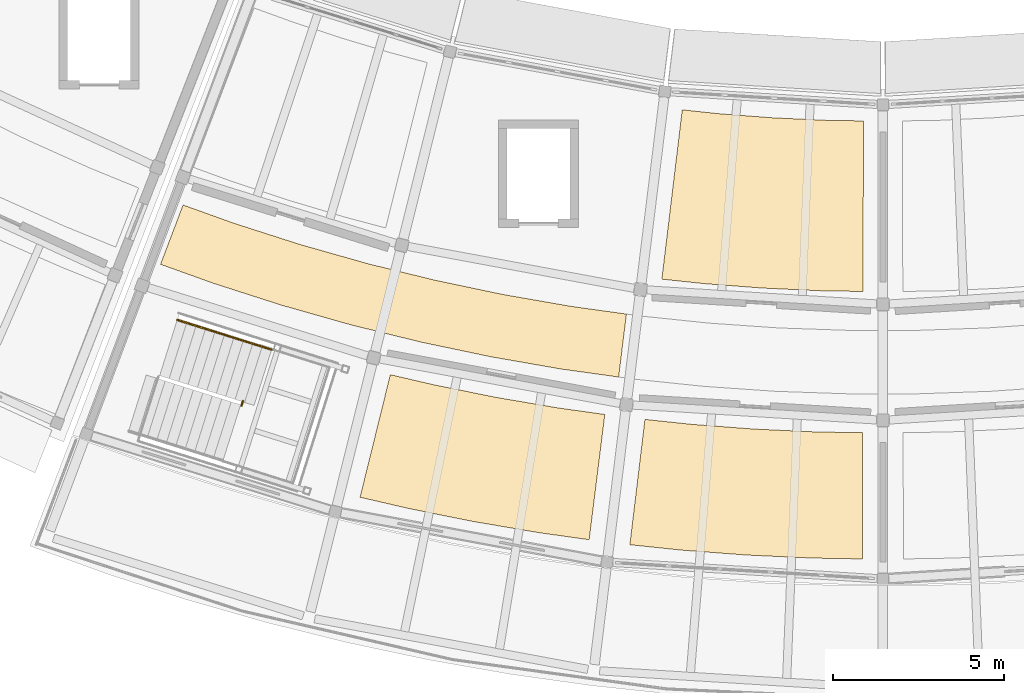
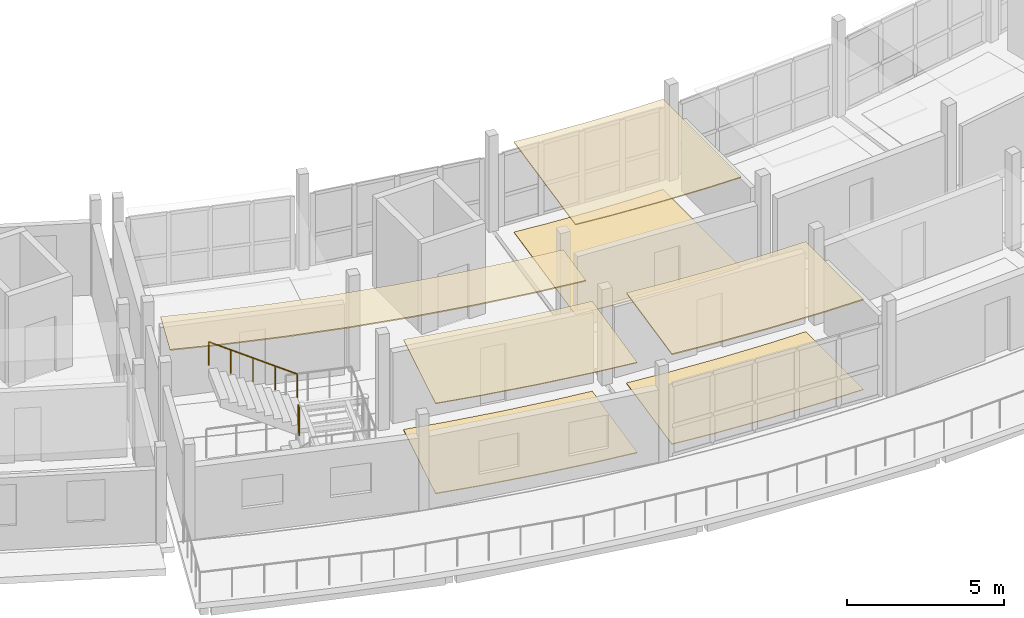
# One storey, part 21 of 24: 7 coverings, 2 railings.
"""IFC4 building model written with IfcOpenShell, lengths in metres."""

from ifc_helpers import new_model, si_unit, direction, frame, origin, origin_2d, place, context, subcontext, project, spatial, polyline, circle, outline, extrude, material, layer, layer_set, type_object, element, save


model = new_model("IFC4")

# Units and contexts
model_context = context("Model", 3, precision=1e-05, world=origin(), true_north=direction((0.0, 1.0)))
body_context = subcontext(model_context, "Body", "Model", "MODEL_VIEW")
ifc_project = project(units=[si_unit("LENGTHUNIT", "METRE"), si_unit("AREAUNIT", "SQUARE_METRE"), si_unit("VOLUMEUNIT", "CUBIC_METRE"), si_unit("PLANEANGLEUNIT", "RADIAN"), si_unit("MASSUNIT", "GRAM", prefix="KILO")], contexts=[model_context])

# Site, building, storey
site_placement = place(None, origin())
site = spatial("IfcSite", under=ifc_project, at=site_placement, CompositionType="ELEMENT")
building_placement = place(site_placement, origin())
building = spatial("IfcBuilding", under=site, at=building_placement, Name="Caldaven Crescent School", CompositionType="ELEMENT")
storey_placement = place(building_placement, frame((0.0, 0.0, 15.639892578125)))
storey = spatial("IfcBuildingStorey", under=building, at=storey_placement, Name="L04", CompositionType="ELEMENT", Elevation=15.639892578125)

# Coverings
ifc_material_1 = material(Name="Perforated Pino Radiata acoustic timber baffle ceiling", Category="wood")
ifc_layer_1 = layer(ifc_material_1, 0.030029296875)
ifc_layer_set_1 = layer_set([ifc_layer_1], Name="Perforated Pino Radiata acoustic timber baffle ceiling")
covering_type_1 = type_object("IfcCoveringType", Name="COV-CLG1", PredefinedType="CEILING", material=ifc_layer_set_1)
covering_1_placement = place(storey_placement, frame((0.0, 0.0, 3.510009765625)))
element("IfcCovering", 1, at=covering_1_placement, inside=storey, type_object=covering_type_1, Name="CLG-L04-188", PredefinedType="CEILING", context=body_context, shape_type="SweptSolid", body=[
    extrude(outline(polyline([(74.893310546875, 35.32958984375), (74.90625, 35.326904296875), (76.68212890625, 34.970703125), (76.695068359375, 34.96826171875), (78.480712890625, 34.664306640625), (78.493896484375, 34.662353515625), (79.848388671875, 34.47265625), (79.38916015625, 30.80126953125), (77.92041015625, 31.007080078125), (76.014404296875, 31.331298828125), (74.118896484375, 31.711669921875), (72.673583984375, 32.0458984375), (73.560546875, 35.637939453125), (74.893310546875, 35.32958984375)])), origin(), (0.0, 0.0, 1.0), 0.030029296875),
])
ifc_layer_2 = layer(ifc_material_1, 0.0380859375)
ifc_layer_set_2 = layer_set([ifc_layer_2], Name="Perforated Pino Radiata acoustic timber baffle ceiling")
covering_type_2 = type_object("IfcCoveringType", Name="COV-CLG2", PredefinedType="CEILING", material=ifc_layer_set_2)
covering_2_placement = place(storey_placement, frame((0.0, 0.0, 3.502197265625)))
element("IfcCovering", 2, at=covering_2_placement, inside=storey, type_object=covering_type_2, Name="CLG-L04-189", PredefinedType="CEILING", context=body_context, shape_type="SweptSolid", body=[
    extrude(outline(polyline([(83.210693359375, 43.287109375), (83.223876953125, 43.285888671875), (84.76220703125, 43.169189453125), (84.775390625, 43.16845703125), (86.316162109375, 43.096923828125), (86.329345703125, 43.096435546875), (87.4287109375, 43.07763671875), (87.4169921875, 38.077880859375), (86.16455078125, 38.09912109375), (84.46337890625, 38.177978515625), (82.765625, 38.306884765625), (81.519775390625, 38.438720703125), (82.11767578125, 43.402587890625), (83.210693359375, 43.287109375)])), origin(), (0.0, 0.0, 1.0), 0.037841796875),
])
ifc_layer_3 = layer(ifc_material_1, 0.0458984375)
ifc_layer_set_3 = layer_set([ifc_layer_3], Name="Perforated Pino Radiata acoustic timber baffle ceiling")
covering_type_3 = type_object("IfcCoveringType", Name="COV-CLG3", PredefinedType="CEILING", material=ifc_layer_set_3)
covering_3_placement = place(storey_placement, frame((0.0, 0.0, 3.494140625)))
element("IfcCovering", 3, at=covering_3_placement, inside=storey, type_object=covering_type_3, Name="CLG-L04-186", PredefinedType="CEILING", context=body_context, shape_type="SweptSolid", body=[
    extrude(outline(polyline([(68.972900390625, 40.078369140625), (68.987548828125, 40.073486328125), (70.91357421875, 39.455078125), (70.928466796875, 39.45068359375), (72.87451171875, 38.8994140625), (72.889404296875, 38.8955078125), (74.853515625, 38.41162109375), (74.86865234375, 38.408203125), (76.848388671875, 37.9921875), (76.863525390625, 37.989501953125), (78.856201171875, 37.64208984375), (78.87158203125, 37.6396484375), (80.481689453125, 37.416015625), (80.252685546875, 35.5703125), (78.576416015625, 35.80322265625), (76.5048828125, 36.164306640625), (74.447509765625, 36.596435546875), (72.406005859375, 37.099365234375), (70.383056640625, 37.67236328125), (68.381103515625, 38.31494140625), (66.826171875, 38.8740234375), (67.4853515625, 40.613037109375), (68.972900390625, 40.078369140625)])), origin(), (0.0, 0.0, 1.0), 0.0458984375),
])
covering_4_placement = place(storey_placement, frame((0.0, 0.0, 3.494140625)))
element("IfcCovering", 4, at=covering_4_placement, inside=storey, type_object=covering_type_3, Name="CLG-L04-190", PredefinedType="CEILING", context=body_context, shape_type="SweptSolid", body=[
    extrude(outline(polyline([(82.385009765625, 34.1845703125), (82.39794921875, 34.183349609375), (84.2041015625, 34.046142578125), (84.21728515625, 34.04541015625), (86.026611328125, 33.96142578125), (86.039794921875, 33.9609375), (87.40771484375, 33.937744140625), (87.399169921875, 30.23779296875), (85.916015625, 30.26318359375), (83.98486328125, 30.352783203125), (82.05712890625, 30.4990234375), (80.58203125, 30.65478515625), (81.0244140625, 34.328125), (82.385009765625, 34.1845703125)])), origin(), (0.0, 0.0, 1.0), 0.0458984375),
])
ifc_material_2 = material(Name="Polished terrazzo and acoustic linoleum flooring")
ifc_layer_4 = layer(ifc_material_2, 0.02001953125)
ifc_layer_set_4 = layer_set([ifc_layer_4], Name="Polished terrazzo and acoustic linoleum flooring")
covering_type_4 = type_object("IfcCoveringType", Name="COV-FLR1", PredefinedType="FLOORING", material=ifc_layer_set_4)
covering_5_placement = place(storey_placement, origin())
element("IfcCovering", 5, at=covering_5_placement, inside=storey, type_object=covering_type_4, Name="FLR-L04-189", PredefinedType="FLOORING", context=body_context, shape_type="SweptSolid", body=[
    extrude(outline(polyline([(82.11767578125, 43.402587890625), (83.210693359375, 43.287109375), (83.223876953125, 43.285888671875), (84.76220703125, 43.169189453125), (84.775390625, 43.16845703125), (86.316162109375, 43.096923828125), (86.329345703125, 43.096435546875), (87.4287109375, 43.07763671875), (87.4169921875, 38.077880859375), (86.16455078125, 38.09912109375), (84.46337890625, 38.177978515625), (82.765625, 38.306884765625), (81.519775390625, 38.438720703125), (82.11767578125, 43.402587890625)])), origin(), (0.0, 0.0, 1.0), 0.02001953125),
])
ifc_layer_5 = layer(ifc_material_2, 0.02587890625)
ifc_layer_set_5 = layer_set([ifc_layer_5], Name="Polished terrazzo and acoustic linoleum flooring")
covering_type_5 = type_object("IfcCoveringType", Name="COV-FLR2", PredefinedType="FLOORING", material=ifc_layer_set_5)
covering_6_placement = place(storey_placement, origin())
element("IfcCovering", 6, at=covering_6_placement, inside=storey, type_object=covering_type_5, Name="FLR-L04-190", PredefinedType="FLOORING", context=body_context, shape_type="SweptSolid", body=[
    extrude(outline(polyline([(81.0244140625, 34.328125), (82.385009765625, 34.1845703125), (82.39794921875, 34.183349609375), (84.2041015625, 34.046142578125), (84.21728515625, 34.04541015625), (86.026611328125, 33.96142578125), (86.039794921875, 33.9609375), (87.40771484375, 33.937744140625), (87.399169921875, 30.23779296875), (85.916015625, 30.26318359375), (83.98486328125, 30.352783203125), (82.05712890625, 30.4990234375), (80.58203125, 30.65478515625), (81.0244140625, 34.328125)])), origin(), (0.0, 0.0, 1.0), 0.026123046875),
])
ifc_layer_6 = layer(ifc_material_2, 0.031982421875)
ifc_layer_set_6 = layer_set([ifc_layer_6], Name="Polished terrazzo and acoustic linoleum flooring")
covering_type_6 = type_object("IfcCoveringType", Name="COV-FLR3", PredefinedType="FLOORING", material=ifc_layer_set_6)
covering_7_placement = place(storey_placement, origin())
element("IfcCovering", 7, at=covering_7_placement, inside=storey, type_object=covering_type_6, Name="FLR-L04-188", PredefinedType="FLOORING", context=body_context, shape_type="SweptSolid", body=[
    extrude(outline(polyline([(73.560546875, 35.637939453125), (74.893310546875, 35.32958984375), (74.90625, 35.326904296875), (76.68212890625, 34.970703125), (76.695068359375, 34.96826171875), (78.480712890625, 34.664306640625), (78.493896484375, 34.662353515625), (79.848388671875, 34.47265625), (79.38916015625, 30.80126953125), (77.92041015625, 31.007080078125), (76.014404296875, 31.331298828125), (74.118896484375, 31.711669921875), (72.673583984375, 32.0458984375), (73.560546875, 35.637939453125)])), origin(), (0.0, 0.0, 1.0), 0.0322265625),
])

# Railings
ifc_material_3 = material(Name="Brushed stainless-steel continuous tubular handrail", Category="steel")
railing_type_1 = type_object("IfcRailingType", Name="RAL-HR4", PredefinedType="HANDRAIL", material=ifc_material_3)
railing_1_placement = place(storey_placement, frame((70.08056640625, 36.373779296875, 2.043212890625)))
element("IfcRailing", 8, at=railing_1_placement, inside=storey, type_object=railing_type_1, Name="HR-ST2-L04-F2", PredefinedType="HANDRAIL", context=body_context, shape_type="SweptSolid", body=[
    extrude(circle(Radius=0.02392578125, at=origin_2d()), frame((0.0, 0.0, 0.916015625), z_axis=(-0.822759414235, 0.259436496085, 0.50572685393), x_axis=(-0.300728414298, -0.953709820036, 0.0)), (0.0, 0.0, 1.0), 3.361328125),
    extrude(circle(Radius=0.02099609375, at=origin_2d()), origin(), (0.0, 0.0, 1.0), 0.891845703125),
    extrude(circle(Radius=0.02099609375, at=origin_2d()), frame((-0.69140625, 0.218017578125, 0.425048828125)), (0.0, 0.0, 1.0), 0.891845703125),
    extrude(circle(Radius=0.02099609375, at=origin_2d()), frame((-1.3828125, 0.43603515625, 0.85009765625)), (0.0, 0.0, 1.0), 0.891845703125),
    extrude(circle(Radius=0.02099609375, at=origin_2d()), frame((-2.07421875, 0.654052734375, 1.27490234375)), (0.0, 0.0, 1.0), 0.891845703125),
    extrude(circle(Radius=0.02099609375, at=origin_2d()), frame((-2.765625, 0.8720703125, 1.699951171875)), (0.0, 0.0, 1.0), 0.891845703125),
])
ifc_material_4 = material(Name="Powder-coated tubular steel balustrade ASTM A572 Grade 50", Category="steel")
railing_type_2 = type_object("IfcRailingType", Name="RAL-INT2", PredefinedType="BALUSTRADE", material=ifc_material_4)
railing_2_placement = place(storey_placement, frame((69.195068359375, 34.72900390625, 1.8701171875)))
element("IfcRailing", 9, at=railing_2_placement, inside=storey, type_object=railing_type_2, Name="GD-SLT-ST2-L04", PredefinedType="BALUSTRADE", context=body_context, shape_type="SweptSolid", body=[
    extrude(circle(Radius=0.02392578125, at=origin_2d()), frame((0.0, 0.0, 1.09619140625), z_axis=(0.301548442872, 0.953450856941, 0.0), x_axis=(-0.953450856941, 0.301548442872, 0.0)), (0.0, 0.0, 1.0), 0.14013671875),
    extrude(circle(Radius=0.02099609375, at=origin_2d()), origin(), (0.0, 0.0, 1.0), 1.072021484375),
    extrude(circle(Radius=0.02099609375, at=origin_2d()), frame((0.042236328125, 0.133544921875, 0.0)), (0.0, 0.0, 1.0), 1.072021484375),
])

save(model, "model.ifc")
